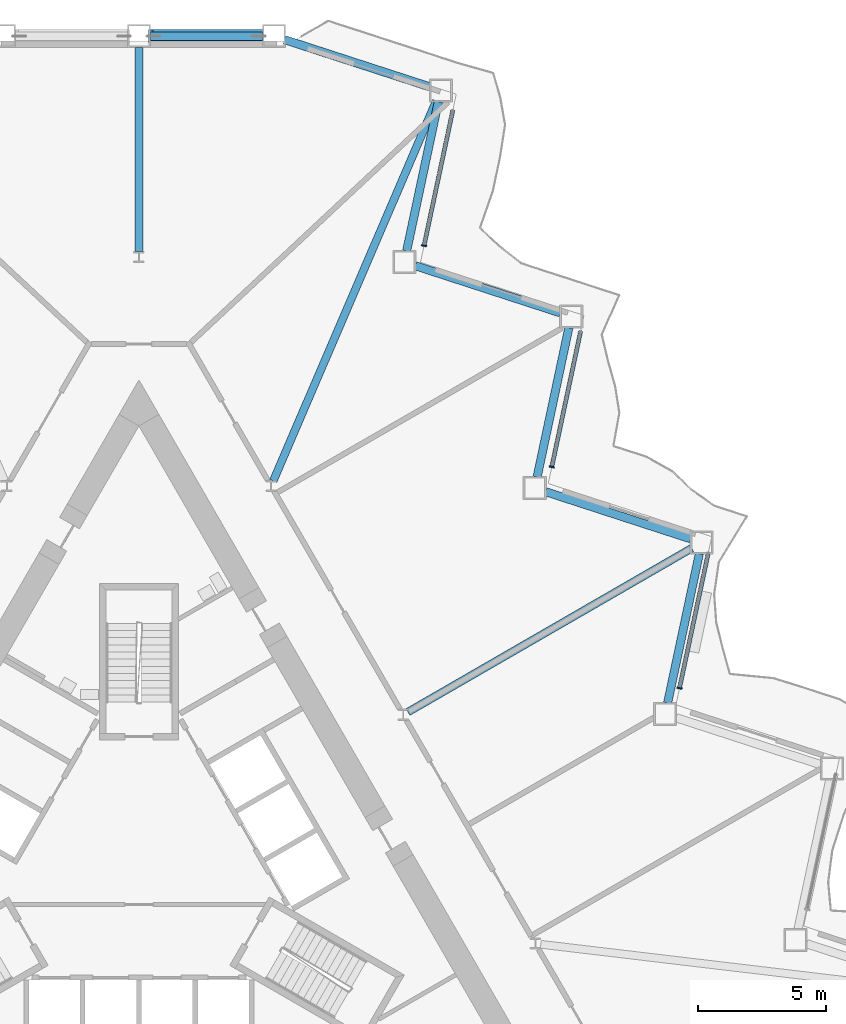
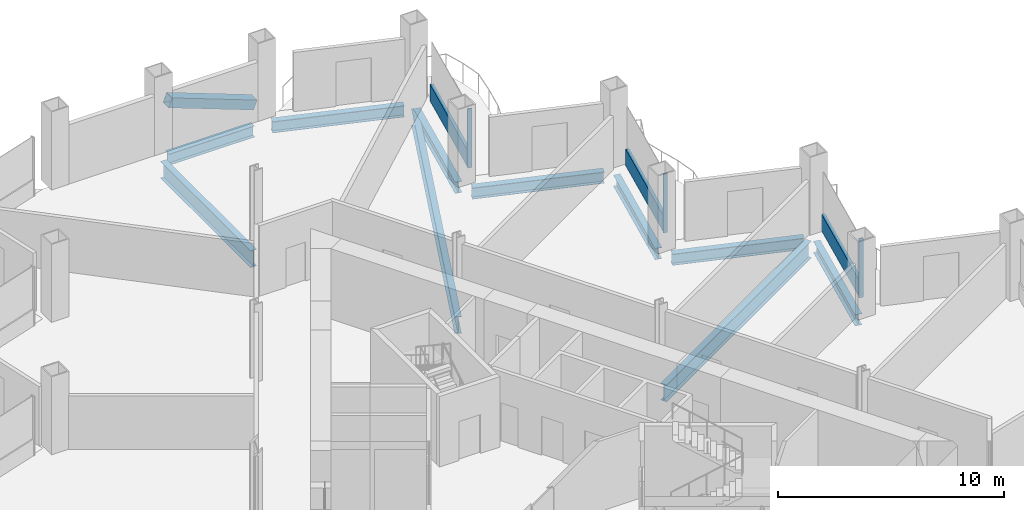
# One storey, part 8 of 21: 10 beams, 7 members, 3 elements without a shape of their own.
"""IFC4 building model written with IfcOpenShell, lengths in metres."""

from ifc_helpers import new_model, si_unit, direction, frame, origin, origin_2d, place, context, subcontext, project, spatial, rectangle, hollow_rectangle, i_section, extrude, material, layer, layer_set, material_profile, profile_set, type_object, element, aggregate, save


model = new_model("IFC4")

# Units and contexts
model_context = context("Model", 3, precision=1e-05, world=origin(), true_north=direction((0.0, 1.0)))
body_context = subcontext(model_context, "Body", "Model", "MODEL_VIEW")
ifc_project = project(units=[si_unit("LENGTHUNIT", "METRE"), si_unit("AREAUNIT", "SQUARE_METRE"), si_unit("VOLUMEUNIT", "CUBIC_METRE"), si_unit("PLANEANGLEUNIT", "RADIAN"), si_unit("MASSUNIT", "GRAM", prefix="KILO")], contexts=[model_context])

# Site, building, storey
site_placement = place(None, origin())
site = spatial("IfcSite", under=ifc_project, at=site_placement, CompositionType="ELEMENT")
building_placement = place(site_placement, origin())
building = spatial("IfcBuilding", under=site, at=building_placement, Name="Cormorant Prow Tower", CompositionType="ELEMENT")
storey_placement = place(building_placement, frame((0.0, 0.0, 108.0)))
storey = spatial("IfcBuildingStorey", under=building, at=storey_placement, Name="L22", CompositionType="ELEMENT", Elevation=108.0)

# Member
ifc_material_1 = material(Name="Structural steel ASTM A500 Gr C", Category="steel")
ifc_material_profile_1 = material_profile(ifc_material_1, hollow_rectangle(XDim=0.508056640625, YDim=0.508056640625, WallThickness=0.014892578125, at=origin_2d()), Name="HSS20x20x5/8")
ifc_profile_set_1 = profile_set([ifc_material_profile_1], Name="Structural steel ASTM A500 Gr C")
member_type_1 = type_object("IfcMemberType", Name="Chamfer brace HSS20x20x5/8", PredefinedType="BRACE", material=ifc_profile_set_1)
member_1_placement = place(storey_placement, frame((4.8017578125, 32.487060546875, 0.776611328125), z_axis=(-0.935582009332, 0.0, 0.353109478511), x_axis=(0.0, -1.0, 0.0)))
element("IfcMember", 1, at=member_1_placement, inside=storey, type_object=member_type_1, Name="Chamfer brace BR1 at N00 L22", PredefinedType="BRACE", context=body_context, shape_type="SweptSolid", body=[
    extrude(hollow_rectangle(XDim=0.508056640625, YDim=0.508056640625, WallThickness=0.014892578125, at=origin_2d()), origin(), (0.0, 0.0, 1.0), 4.63232421875),
])

# Curtain wall, member
ifc_material_2 = material(Name="Aluminium 6063-T6", Category="aluminium")
ifc_layer = layer(ifc_material_2, 0.199951171875)
ifc_layer_set = layer_set([ifc_layer], Name="Aluminium 6063-T6")
curtain_wall_type = type_object("IfcCurtainWallType", Name="Office unitised curtain wall 200", PredefinedType="NOTDEFINED", material=ifc_layer_set)
curtain_wall_1_placement = place(storey_placement, origin())
curtain_wall_1 = element("IfcCurtainWall", 2, at=curtain_wall_1_placement, inside=storey, type_object=curtain_wall_type, Name="Office curtain wall ENE04", PredefinedType="NOTDEFINED")
ifc_material_3 = material(Name="Aluminium 6063-T6", Category="aluminium")
ifc_material_profile_2 = material_profile(ifc_material_3, rectangle(XDim=0.199951171875, YDim=0.06005859375, at=origin_2d()), Name="Office mullion 60x200")
ifc_profile_set_2 = profile_set([ifc_material_profile_2], Name="Aluminium 6063-T6")
member_type_2 = type_object("IfcMemberType", Name="Office mullion 60x200", PredefinedType="MULLION", material=ifc_profile_set_2)
member_2_placement = place(storey_placement, frame((21.128662109375, 7.005126953125, 0.0), z_axis=(0.0, 0.0, 1.0), x_axis=(-0.978147583933, 0.207911769861, 0.0)))
member_2 = element("IfcMember", 3, at=member_2_placement, type_object=member_type_2, Name="Office mullion ENE04", PredefinedType="MULLION", context=body_context, shape_type="SweptSolid", body=[
    extrude(rectangle(XDim=0.199951171875, YDim=0.06005859375, at=origin_2d()), origin(), (0.0, 0.0, 1.0), 3.18896484375),
])

curtain_wall_2_placement = place(storey_placement, origin())
curtain_wall_2 = element("IfcCurtainWall", 4, at=curtain_wall_2_placement, inside=storey, type_object=curtain_wall_type, Name="Office curtain wall ENE06", PredefinedType="NOTDEFINED")
member_3_placement = place(storey_placement, frame((16.135986328125, 15.652587890625, 0.0), z_axis=(0.0, 0.0, 1.0), x_axis=(-0.978147583933, 0.207911769861, 0.0)))
member_3 = element("IfcMember", 5, at=member_3_placement, type_object=member_type_2, Name="Office mullion ENE06", PredefinedType="MULLION", context=body_context, shape_type="SweptSolid", body=[
    extrude(rectangle(XDim=0.199951171875, YDim=0.06005859375, at=origin_2d()), origin(), (0.0, 0.0, 1.0), 3.18896484375),
])

curtain_wall_3_placement = place(storey_placement, origin())
curtain_wall_3 = element("IfcCurtainWall", 6, at=curtain_wall_3_placement, inside=storey, type_object=curtain_wall_type, Name="Office curtain wall ENE08", PredefinedType="NOTDEFINED")
member_4_placement = place(storey_placement, frame((11.143310546875, 24.30029296875, 0.0), z_axis=(0.0, 0.0, 1.0), x_axis=(-0.978147583933, 0.207911769861, 0.0)))
member_4 = element("IfcMember", 7, at=member_4_placement, type_object=member_type_2, Name="Office mullion ENE08", PredefinedType="MULLION", context=body_context, shape_type="SweptSolid", body=[
    extrude(rectangle(XDim=0.199951171875, YDim=0.06005859375, at=origin_2d()), origin(), (0.0, 0.0, 1.0), 3.18896484375),
])

# Member
ifc_material_4 = material(Name="Terracotta", Category="masonry")
ifc_material_profile_3 = material_profile(ifc_material_4, rectangle(XDim=0.159912109375, YDim=0.89990234375, at=origin_2d()), Name="Office terracotta spandrel rail 160x900")
ifc_profile_set_3 = profile_set([ifc_material_profile_3], Name="Terracotta")
member_type_3 = type_object("IfcMemberType", Name="Office terracotta spandrel rail 160x900", PredefinedType="USERDEFINED", material=ifc_profile_set_3)
member_5_placement = place(storey_placement, frame((21.135009765625, 7.034423828125, 0.449951171875), z_axis=(0.207912965778, 0.978147329732, 0.0), x_axis=(-0.978147329732, 0.207912965778, 0.0)))
member_5 = element("IfcMember", 8, at=member_5_placement, type_object=member_type_3, Name="Office spandrel rail ENE04", ObjectType="TRANSOM", PredefinedType="USERDEFINED", context=body_context, shape_type="SweptSolid", body=[
    extrude(rectangle(XDim=0.159912109375, YDim=0.89990234375, at=origin_2d()), origin(), (0.0, 0.0, 1.0), 5.38623046875),
])

aggregate(curtain_wall_1, [member_2, member_5])

member_6_placement = place(storey_placement, frame((16.142333984375, 15.68212890625, 0.449951171875), z_axis=(0.207912965778, 0.978147329732, 0.0), x_axis=(-0.978147329732, 0.207912965778, 0.0)))
member_6 = element("IfcMember", 9, at=member_6_placement, type_object=member_type_3, Name="Office spandrel rail ENE06", ObjectType="TRANSOM", PredefinedType="USERDEFINED", context=body_context, shape_type="SweptSolid", body=[
    extrude(rectangle(XDim=0.159912109375, YDim=0.89990234375, at=origin_2d()), origin(), (0.0, 0.0, 1.0), 5.38623046875),
])

aggregate(curtain_wall_2, [member_3, member_6])

member_7_placement = place(storey_placement, frame((11.149658203125, 24.32958984375, 0.449951171875), z_axis=(0.207912965778, 0.978147329732, 0.0), x_axis=(-0.978147329732, 0.207912965778, 0.0)))
member_7 = element("IfcMember", 10, at=member_7_placement, type_object=member_type_3, Name="Office spandrel rail ENE08", ObjectType="TRANSOM", PredefinedType="USERDEFINED", context=body_context, shape_type="SweptSolid", body=[
    extrude(rectangle(XDim=0.159912109375, YDim=0.89990234375, at=origin_2d()), origin(), (0.0, 0.0, 1.0), 5.38623046875),
])

aggregate(curtain_wall_3, [member_4, member_7])

# Beams
ifc_material_5 = material(Name="Structural steel ASTM A992 Gr 50", Category="steel")
ifc_material_profile_4 = material_profile(ifc_material_5, i_section(OverallWidth=0.3046875, OverallDepth=0.914794921875, WebThickness=0.0166015625, FlangeThickness=0.02587890625, at=origin_2d()), Name="W36x160")
ifc_profile_set_4 = profile_set([ifc_material_profile_4], Name="Structural steel ASTM A992 Gr 50")
beam_type_1 = type_object("IfcBeamType", Name="Radial floor beam W36x160", PredefinedType="BEAM", material=ifc_profile_set_4)
beam_1_placement = place(storey_placement, frame((0.0, 24.070068359375, -0.857421875), z_axis=(0.0, 1.0, 0.0), x_axis=(-1.0, 0.0, 0.0)))
element("IfcBeam", 11, at=beam_1_placement, inside=storey, type_object=beam_type_1, Name="Radial floor beam FB1 1 L22", PredefinedType="BEAM", context=body_context, shape_type="SweptSolid", body=[
    extrude(i_section(OverallWidth=0.3046875, OverallDepth=0.914794921875, WebThickness=0.0166015625, FlangeThickness=0.02587890625, at=origin_2d()), origin(), (0.0, 0.0, 1.0), 7.966796875),
])
beam_2_placement = place(storey_placement, frame((10.516845703125, 6.07177734375, -0.857421875), z_axis=(0.866021760006, 0.500006311156, 0.0), x_axis=(-0.500006311156, 0.866021760006, 0.0)))
element("IfcBeam", 12, at=beam_2_placement, inside=storey, type_object=beam_type_1, Name="Radial floor beam FB1 11 L22", PredefinedType="BEAM", context=body_context, shape_type="SweptSolid", body=[
    extrude(i_section(OverallWidth=0.3046875, OverallDepth=0.914794921875, WebThickness=0.0166015625, FlangeThickness=0.02587890625, at=origin_2d()), origin(), (0.0, 0.0, 1.0), 12.805419921875),
])
beam_3_placement = place(storey_placement, frame((5.25, 15.107666015625, -0.857421875), z_axis=(0.394273140268, 0.918993302948, 0.0), x_axis=(-0.918993302948, 0.394273140268, 0.0)))
element("IfcBeam", 13, at=beam_3_placement, inside=storey, type_object=beam_type_1, Name="Radial floor beam FB1 12 L22", PredefinedType="BEAM", context=body_context, shape_type="SweptSolid", body=[
    extrude(i_section(OverallWidth=0.3046875, OverallDepth=0.914794921875, WebThickness=0.0166015625, FlangeThickness=0.02587890625, at=origin_2d()), origin(), (0.0, 0.0, 1.0), 16.153564453125),
])
ifc_material_6 = material(Name="Structural steel ASTM A992 Gr 50", Category="steel")
ifc_material_profile_5 = material_profile(ifc_material_6, i_section(OverallWidth=0.32373046875, OverallDepth=0.611083984375, WebThickness=0.0126953125, FlangeThickness=0.01904296875, at=origin_2d()), Name="W24x104")
ifc_profile_set_5 = profile_set([ifc_material_profile_5], Name="Structural steel ASTM A992 Gr 50")
beam_type_2 = type_object("IfcBeamType", Name="Spandrel beam W24x104", PredefinedType="SPANDREL", material=ifc_profile_set_5)
beam_4_placement = place(storey_placement, frame((20.6630859375, 6.427001953125, -0.70556640625), z_axis=(0.207912620873, 0.978147403044, 0.0), x_axis=(-0.978147403044, 0.207912620873, 0.0)))
element("IfcBeam", 14, at=beam_4_placement, inside=storey, type_object=beam_type_2, Name="Spandrel beam SB1 ENE04-ENE05 L22", PredefinedType="SPANDREL", context=body_context, shape_type="SweptSolid", body=[
    extrude(i_section(OverallWidth=0.32373046875, OverallDepth=0.611083984375, WebThickness=0.0126953125, FlangeThickness=0.01904296875, at=origin_2d()), origin(), (0.0, 0.0, 1.0), 5.962890625),
])
for number, where, z_axis, x_axis, name in (
    (15, (21.568359375, 12.838623046875, -0.70556640625), (-0.951059340519, 0.309008302174, 0.0), (-0.309008302174, -0.951059340519, 0.0), "Spandrel beam SB1 ENE05-ENE06 L22"),
    (16, (15.56298828125, 15.260498046875, -0.70556640625), (0.207920947907, 0.978145633033, 0.0), (-0.978145633033, 0.207920947907, 0.0), "Spandrel beam SB1 ENE06-ENE07 L22"),
):
    element("IfcBeam", number, at=place(storey_placement, frame(where, z_axis=z_axis, x_axis=x_axis)), inside=storey, type_object=beam_type_2, Name=name, PredefinedType="SPANDREL", context=body_context, shape_type="SweptSolid", body=[
        extrude(i_section(OverallWidth=0.32373046875, OverallDepth=0.611083984375, WebThickness=0.0126953125, FlangeThickness=0.01904296875, at=origin_2d()), origin(), (0.0, 0.0, 1.0), 5.962646484375),
    ])
beam_5_placement = place(storey_placement, frame((16.468505859375, 21.671875, -0.70556640625), z_axis=(-0.95104730696, 0.309045336358, 0.0), x_axis=(-0.309045336358, -0.95104730696, 0.0)))
element("IfcBeam", 17, at=beam_5_placement, inside=storey, type_object=beam_type_2, Name="Spandrel beam SB1 ENE07-ENE08 L22", PredefinedType="SPANDREL", context=body_context, shape_type="SweptSolid", body=[
    extrude(i_section(OverallWidth=0.32373046875, OverallDepth=0.611083984375, WebThickness=0.0126953125, FlangeThickness=0.01904296875, at=origin_2d()), origin(), (0.0, 0.0, 1.0), 5.962890625),
])
beam_6_placement = place(storey_placement, frame((10.463134765625, 24.09375, -0.70556640625), z_axis=(0.207920947907, 0.978145633033, 0.0), x_axis=(-0.978145633033, 0.207920947907, 0.0)))
element("IfcBeam", 18, at=beam_6_placement, inside=storey, type_object=beam_type_2, Name="Spandrel beam SB1 ENE08-ENE09 L22", PredefinedType="SPANDREL", context=body_context, shape_type="SweptSolid", body=[
    extrude(i_section(OverallWidth=0.32373046875, OverallDepth=0.611083984375, WebThickness=0.0126953125, FlangeThickness=0.01904296875, at=origin_2d()), origin(), (0.0, 0.0, 1.0), 5.962646484375),
])
beam_7_placement = place(storey_placement, frame((11.368408203125, 30.50537109375, -0.70556640625), z_axis=(-0.951055430656, 0.309020335608, 0.0), x_axis=(-0.309020335608, -0.951055430656, 0.0)))
element("IfcBeam", 19, at=beam_7_placement, inside=storey, type_object=beam_type_2, Name="Spandrel beam SB1 ENE09-N00 L22", PredefinedType="SPANDREL", context=body_context, shape_type="SweptSolid", body=[
    extrude(i_section(OverallWidth=0.32373046875, OverallDepth=0.611083984375, WebThickness=0.0126953125, FlangeThickness=0.01904296875, at=origin_2d()), origin(), (0.0, 0.0, 1.0), 5.96240234375),
])
beam_8_placement = place(storey_placement, frame((4.819580078125, 32.487060546875, -0.70556640625), z_axis=(-1.0, 0.0, 0.0), x_axis=(0.0, -1.0, 0.0)))
element("IfcBeam", 20, at=beam_8_placement, inside=storey, type_object=beam_type_2, Name="Spandrel beam SB1 N00-N01 L22", PredefinedType="SPANDREL", context=body_context, shape_type="SweptSolid", body=[
    extrude(i_section(OverallWidth=0.32373046875, OverallDepth=0.611083984375, WebThickness=0.0126953125, FlangeThickness=0.01904296875, at=origin_2d()), origin(), (0.0, 0.0, 1.0), 4.36962890625),
])

save(model, "model.ifc")
